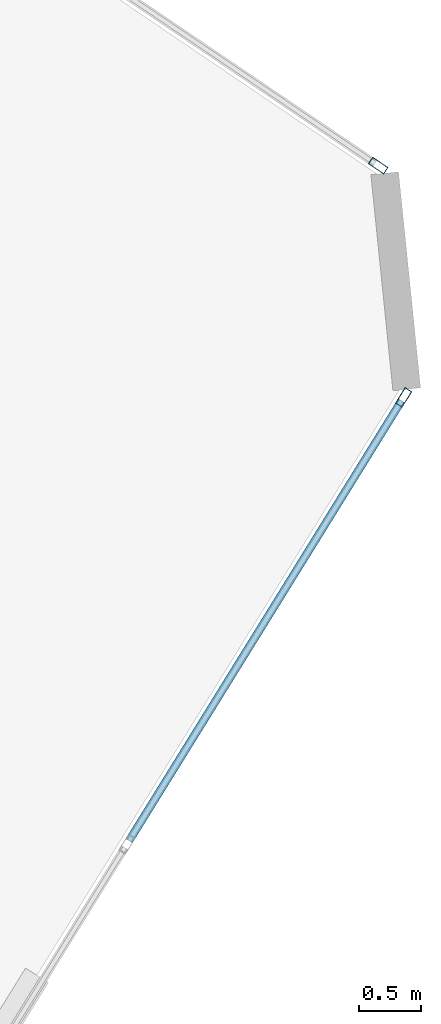
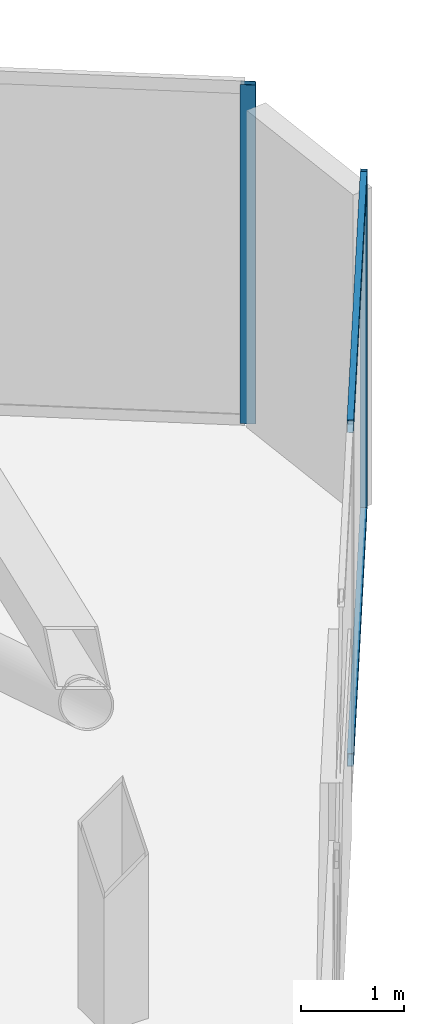
# One storey, part 16 of 21: 4 members, 2 elements without a shape of their own.
"""IFC4 building model written with IfcOpenShell, lengths in metres."""

from ifc_helpers import new_model, si_unit, direction, frame, origin, origin_2d, place, context, subcontext, project, spatial, hollow_rectangle, extrude, source, transform, mapped, material, layer, layer_set, material_profile, profile_set, type_object, type_shapes, element, aggregate, save


model = new_model("IFC4")

# Units and contexts
model_context = context("Model", 3, precision=1e-05, world=origin(), true_north=direction((0.0, 1.0)))
body_context = subcontext(model_context, "Body", "Model", "MODEL_VIEW")
ifc_project = project(units=[si_unit("LENGTHUNIT", "METRE"), si_unit("AREAUNIT", "SQUARE_METRE"), si_unit("VOLUMEUNIT", "CUBIC_METRE"), si_unit("PLANEANGLEUNIT", "RADIAN"), si_unit("MASSUNIT", "GRAM", prefix="KILO")], contexts=[model_context])

# Site, building, storey
site_placement = place(None, origin())
site = spatial("IfcSite", under=ifc_project, at=site_placement, CompositionType="ELEMENT")
building_placement = place(site_placement, origin())
building = spatial("IfcBuilding", under=site, at=building_placement, Name="Talar Marvaseh", CompositionType="ELEMENT")
storey_placement = place(building_placement, frame((0.0, 0.0, 300.0)))
storey = spatial("IfcBuildingStorey", under=building, at=storey_placement, Name="L80", CompositionType="ELEMENT", Elevation=300.0)

# Curtain wall, members
ifc_material = material(Name="Architectural Aluminium", Category="aluminium")
ifc_layer = layer(ifc_material, 0.2099609375)
ifc_layer_set = layer_set([ifc_layer], Name="Architectural Aluminium")
curtain_wall_type = type_object("IfcCurtainWallType", Name="Crown Plant Acoustic Spandrel Curtain Wall", PredefinedType="NOTDEFINED", material=ifc_layer_set)
curtain_wall_1_placement = place(storey_placement, origin())
curtain_wall_1 = element("IfcCurtainWall", 1, at=curtain_wall_1_placement, inside=storey, type_object=curtain_wall_type, Name="L80 Crown Plant Acoustic Spandrel Curtain Wall", PredefinedType="NOTDEFINED")
ifc_material_profile_1 = material_profile(ifc_material, hollow_rectangle(XDim=0.06494140625, YDim=0.14990234375, WallThickness=0.00390625, at=origin_2d()), Name="RHS150x65x4")
ifc_profile_set_1 = profile_set([ifc_material_profile_1], Name="Architectural Aluminium")
member_type_1 = type_object("IfcMemberType", Name="Unitised Curtain Wall Slim Transom RHS150x65x4", PredefinedType="USERDEFINED", material=ifc_profile_set_1)
shared_shape_1 = source(origin(), body_context, "Body", "SweptSolid", [
    extrude(hollow_rectangle(XDim=0.06494140625, YDim=0.14990234375, WallThickness=0.00390625, at=origin_2d()), origin(), (0.0, 0.0, 1.0), 4.188720703125),
])
type_shapes(member_type_1, [shared_shape_1])
member_1_placement = place(storey_placement, frame((43.492919921875, 32.580078125, 0.032470703125), z_axis=(-0.526368660189, -0.850256451649, 0.0), x_axis=(0.850256451649, -0.526368660189, 0.0)))
member_1 = element("IfcMember", 2, at=member_1_placement, type_object=member_type_1, Name="CW-CRN transom 1.1", ObjectType="TRANSOM", PredefinedType="USERDEFINED", context=body_context, shape_type="MappedRepresentation", body=[
    mapped(shared_shape_1, transform((0.0, 0.0, 0.0), x_axis=(1.0, 0.0, 0.0), y_axis=(0.0, 1.0, 0.0), z_axis=(0.0, 0.0, 1.0), scale=1.0)),
])
member_2_placement = place(storey_placement, frame((43.492919921875, 32.580078125, 3.967529296875), z_axis=(-0.526368660189, -0.850256451649, 0.0), x_axis=(0.850256451649, -0.526368660189, 0.0)))
member_2 = element("IfcMember", 3, at=member_2_placement, type_object=member_type_1, Name="CW-CRN transom 1.2", ObjectType="TRANSOM", PredefinedType="USERDEFINED", context=body_context, shape_type="MappedRepresentation", body=[
    mapped(shared_shape_1, transform((0.0, 0.0, 0.0), x_axis=(1.0, 0.0, 0.0), y_axis=(0.0, 1.0, 0.0), z_axis=(0.0, 0.0, 1.0), scale=1.0)),
])

# Curtain wall, member
curtain_wall_2_placement = place(storey_placement, origin())
curtain_wall_2 = element("IfcCurtainWall", 4, at=curtain_wall_2_placement, inside=storey, type_object=curtain_wall_type, Name="L80 Crown Plant Acoustic Spandrel Curtain Wall", PredefinedType="NOTDEFINED")
ifc_material_profile_2 = material_profile(ifc_material, hollow_rectangle(XDim=0.06494140625, YDim=0.14990234375, WallThickness=0.00390625, at=origin_2d()), Name="RHS150x65x4")
ifc_profile_set_2 = profile_set([ifc_material_profile_2], Name="Architectural Aluminium")
member_type_2 = type_object("IfcMemberType", Name="Unitised Curtain Wall Slim Mullion RHS150x65x4", PredefinedType="MULLION", material=ifc_profile_set_2)
shared_shape_2 = source(origin(), body_context, "Body", "SweptSolid", [
    extrude(hollow_rectangle(XDim=0.06494140625, YDim=0.14990234375, WallThickness=0.00390625, at=origin_2d()), origin(), (0.0, 0.0, 1.0), 4.0),
])
type_shapes(member_type_2, [shared_shape_2])
member_3_placement = place(storey_placement, frame((43.304443359375, 34.48388671875, 0.0), z_axis=(0.0, 0.0, 1.0), x_axis=(0.560582970612, 0.828098262925, 0.0)))
member_3 = element("IfcMember", 5, at=member_3_placement, type_object=member_type_2, Name="CW-CRN mullion 4", PredefinedType="MULLION", context=body_context, shape_type="MappedRepresentation", body=[
    mapped(shared_shape_2, transform((0.0, 0.0, 0.0), x_axis=(1.0, 0.0, 0.0), y_axis=(0.0, 1.0, 0.0), z_axis=(0.0, 0.0, 1.0), scale=1.0)),
])
aggregate(curtain_wall_2, [member_3])

# Member
member_4_placement = place(storey_placement, frame((43.510009765625, 32.607666015625, 0.0), z_axis=(0.0, 0.0, 1.0), x_axis=(0.850268129899, -0.526349795552, 0.0)))
member_4 = element("IfcMember", 6, at=member_4_placement, type_object=member_type_2, Name="CW-CRN mullion 1", PredefinedType="MULLION", context=body_context, shape_type="MappedRepresentation", body=[
    mapped(shared_shape_2, transform((0.0, 0.0, 0.0), x_axis=(1.0, 0.0, 0.0), y_axis=(0.0, 1.0, 0.0), z_axis=(0.0, 0.0, 1.0), scale=1.0)),
])

aggregate(curtain_wall_1, [member_4, member_1, member_2])

save(model, "model.ifc")
